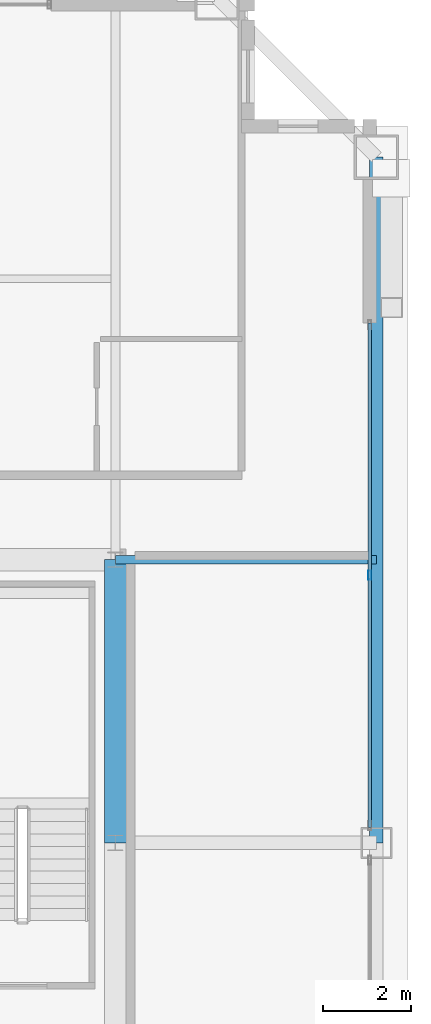
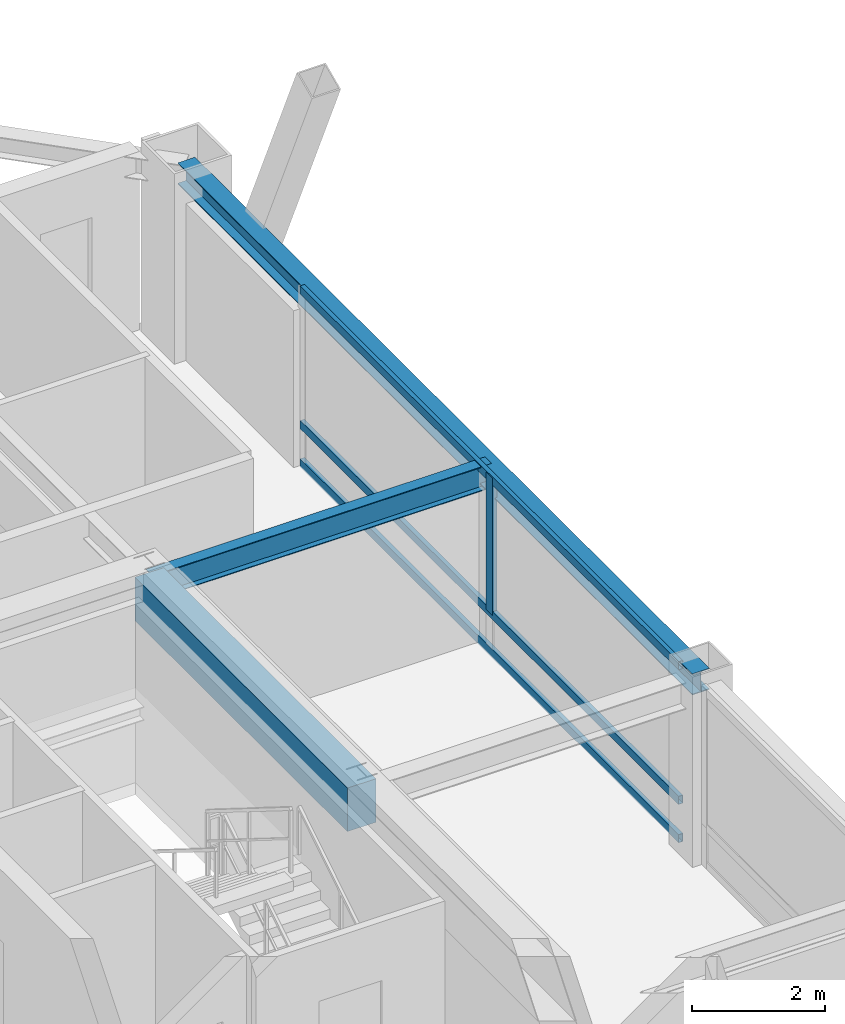
# One storey, part 14 of 34: 4 members, 3 beams, 1 element without a shape of its own.
"""IFC4 building model written with IfcOpenShell, lengths in metres."""

from ifc_helpers import new_model, si_unit, direction, frame, origin, origin_2d, place, context, subcontext, project, spatial, rectangle, hollow_rectangle, i_section, extrude, source, transform, mapped, material, layer, layer_set, material_profile, profile_set, type_object, element, aggregate, save


model = new_model("IFC4")

# Units and contexts
model_context = context("Model", 3, precision=1e-05, world=origin(), true_north=direction((0.0, 1.0)))
body_context = subcontext(model_context, "Body", "Model", "MODEL_VIEW")
ifc_project = project(units=[si_unit("LENGTHUNIT", "METRE"), si_unit("AREAUNIT", "SQUARE_METRE"), si_unit("VOLUMEUNIT", "CUBIC_METRE"), si_unit("PLANEANGLEUNIT", "RADIAN"), si_unit("MASSUNIT", "GRAM", prefix="KILO"), si_unit("THERMODYNAMICTEMPERATUREUNIT", "KELVIN"), si_unit("POWERUNIT", "WATT")], contexts=[model_context])

# Site, building, storey
site_placement = place(None, origin())
site = spatial("IfcSite", under=ifc_project, at=site_placement, CompositionType="ELEMENT")
building_placement = place(site_placement, origin())
building = spatial("IfcBuilding", under=site, at=building_placement, Name="Yuzanri Waterfront Tower", CompositionType="ELEMENT")
storey_placement = place(building_placement, frame((0.0, 0.0, 328.699951171875)))
storey = spatial("IfcBuildingStorey", under=building, at=storey_placement, Name="L88", CompositionType="ELEMENT", Elevation=328.699951171875)

# Beams
ifc_material_1 = material(Name="Concrete C50", Category="concrete")
ifc_material_profile_1 = material_profile(ifc_material_1, rectangle(XDim=0.5, YDim=0.800048828125, at=origin_2d()), Name="RC 500x800")
ifc_profile_set_1 = profile_set([ifc_material_profile_1], Name="Concrete C50")
beam_type_1 = type_object("IfcBeamType", Name="Core Coupling Lintel Concrete C50 500x800", PredefinedType="LINTEL", material=ifc_profile_set_1)
shared_shape_1 = source(origin(), body_context, "Body", "SweptSolid", [
    extrude(rectangle(XDim=0.5, YDim=0.800048828125, at=origin_2d()), origin(), (0.0, 0.0, 1.0), 6.39990234375),
])
beam_1_placement = place(storey_placement, frame((50.199951171875, 25.800048828125, 2.880126953125), z_axis=(0.0, 1.0, 0.0), x_axis=(-1.0, 0.0, 0.0)))
element("IfcBeam", 1, at=beam_1_placement, inside=storey, type_object=beam_type_1, Name="L88 Core Tie Beam CE2", PredefinedType="LINTEL", context=body_context, shape_type="MappedRepresentation", body=[
    mapped(shared_shape_1, transform((0.0, 0.0, 0.0), scale=1.0)),
])
ifc_material_2 = material(Name="Steel Q355B", Category="steel")
ifc_material_profile_2 = material_profile(ifc_material_2, i_section(OverallWidth=0.300048828125, OverallDepth=0.389892578125, WebThickness=0.010009765625, FlangeThickness=0.01611328125, at=origin_2d()), Name="HM 390x300x10x16")
ifc_profile_set_2 = profile_set([ifc_material_profile_2], Name="Steel Q355B")
beam_type_2 = type_object("IfcBeamType", Name="Perimeter Spandrel Q355B HM 390x300", PredefinedType="SPANDREL", material=ifc_profile_set_2)
shared_shape_2 = source(origin(), body_context, "Body", "SweptSolid", [
    extrude(i_section(OverallWidth=0.300048828125, OverallDepth=0.389892578125, WebThickness=0.010009765625, FlangeThickness=0.01611328125, at=origin_2d()), origin(), (0.0, 0.0, 1.0), 15.5),
])
beam_2_placement = place(storey_placement, frame((56.10009765625, 25.800048828125, 3.0849609375), z_axis=(0.0, 1.0, 0.0), x_axis=(-1.0, 0.0, 0.0)))
element("IfcBeam", 2, at=beam_2_placement, inside=storey, type_object=beam_type_2, Name="L88 Perimeter Spandrel E2-E3", PredefinedType="SPANDREL", context=body_context, shape_type="MappedRepresentation", body=[
    mapped(shared_shape_2, transform((0.0, 0.0, 0.0), scale=1.0)),
])
ifc_material_3 = material(Name="Steel Q355B", Category="steel")
ifc_material_profile_3 = material_profile(ifc_material_3, i_section(OverallWidth=0.199951171875, OverallDepth=0.449951171875, WebThickness=0.009033203125, FlangeThickness=0.013916015625, at=origin_2d()), Name="HN 450x200x9x14")
ifc_profile_set_3 = profile_set([ifc_material_profile_3], Name="Steel Q355B")
beam_type_3 = type_object("IfcBeamType", Name="Secondary Floor Beam Q355B HN 450x200", PredefinedType="BEAM", material=ifc_profile_set_3)
shared_shape_3 = source(origin(), body_context, "Body", "SweptSolid", [
    extrude(i_section(OverallWidth=0.199951171875, OverallDepth=0.449951171875, WebThickness=0.009033203125, FlangeThickness=0.013916015625, at=origin_2d()), origin(), (0.0, 0.0, 1.0), 5.900146484375),
])
beam_3_placement = place(storey_placement, frame((50.199951171875, 32.199951171875, 3.054931640625), z_axis=(1.0, 0.0, 0.0), x_axis=(0.0, 1.0, 0.0)))
element("IfcBeam", 3, at=beam_3_placement, inside=storey, type_object=beam_type_3, Name="L88 East-North Core Line Beam", PredefinedType="BEAM", context=body_context, shape_type="MappedRepresentation", body=[
    mapped(shared_shape_3, transform((0.0, 0.0, 0.0), scale=1.0)),
])

# Curtain wall, members
ifc_material_4 = material(Name="Anodized Architectural Bronze", Category="metal")
ifc_layer = layer(ifc_material_4, 0.159912109375)
ifc_layer_set = layer_set([ifc_layer], Name="Anodized Architectural Bronze")
curtain_wall_type = type_object("IfcCurtainWallType", Name="Anodized Bronze High-Rise Penthouse High-Wind Unitized Curtain Wall 6900", PredefinedType="NOTDEFINED", material=ifc_layer_set)
curtain_wall_placement = place(storey_placement, origin())
curtain_wall = element("IfcCurtainWall", 4, at=curtain_wall_placement, inside=storey, type_object=curtain_wall_type, Name="L88 Curtain Wall CW-L88-ER", PredefinedType="NOTDEFINED")
ifc_material_5 = material(Name="Anodized Architectural Bronze", Category="metal")
ifc_material_profile_4 = material_profile(ifc_material_5, hollow_rectangle(XDim=0.074951171875, YDim=0.199951171875, WallThickness=0.00390625, at=origin_2d()), Name="CWM 75x200")
ifc_profile_set_4 = profile_set([ifc_material_profile_4], Name="Anodized Architectural Bronze")
member_type_1 = type_object("IfcMemberType", Name="Anodized Bronze Primary Curtain-Wall Mullion 75x200", PredefinedType="MULLION", material=ifc_profile_set_4)
shared_shape_4 = source(origin(), body_context, "Body", "SweptSolid", [
    extrude(hollow_rectangle(XDim=0.074951171875, YDim=0.199951171875, WallThickness=0.00390625, at=origin_2d()), origin(), (0.0, 0.0, 1.0), 2.52392578125),
])
member_1_placement = place(storey_placement, frame((55.949951171875, 31.85009765625, 0.756103515625), z_axis=(0.0, 0.0, 1.0), x_axis=(1.0, 0.0, 0.0)))
member_1 = element("IfcMember", 5, at=member_1_placement, type_object=member_type_1, Name="CW-L88-ER Upper Mullion 01", PredefinedType="MULLION", context=body_context, shape_type="MappedRepresentation", body=[
    mapped(shared_shape_4, transform((0.0, 0.0, 0.0), scale=1.0)),
])
ifc_material_6 = material(Name="Anodized Architectural Bronze", Category="metal")
ifc_material_profile_5 = material_profile(ifc_material_6, hollow_rectangle(XDim=0.074951171875, YDim=0.14990234375, WallThickness=0.00390625, at=origin_2d()), Name="CWT 75x150")
ifc_profile_set_5 = profile_set([ifc_material_profile_5], Name="Anodized Architectural Bronze")
member_type_2 = type_object("IfcMemberType", Name="Anodized Bronze Primary Curtain-Wall Transom 75x150", PredefinedType="USERDEFINED", material=ifc_profile_set_5)
shared_shape_5 = source(origin(), body_context, "Body", "SweptSolid", [
    extrude(hollow_rectangle(XDim=0.074951171875, YDim=0.14990234375, WallThickness=0.00390625, at=origin_2d()), origin(), (0.0, 0.0, 1.0), 11.400146484375),
])
member_2_placement = place(storey_placement, frame((55.949951171875, 26.14990234375, 0.050048828125), z_axis=(0.0, 1.0, 0.0), x_axis=(-1.0, 0.0, 0.0)))
member_2 = element("IfcMember", 6, at=member_2_placement, type_object=member_type_2, Name="CW-L88-ER Transom 1", ObjectType="TRANSOM", PredefinedType="USERDEFINED", context=body_context, shape_type="MappedRepresentation", body=[
    mapped(shared_shape_5, transform((0.0, 0.0, 0.0), scale=1.0)),
])
member_3_placement = place(storey_placement, frame((55.949951171875, 26.14990234375, 0.754150390625), z_axis=(0.0, 1.0, 0.0), x_axis=(-1.0, 0.0, 0.0)))
member_3 = element("IfcMember", 7, at=member_3_placement, type_object=member_type_2, Name="CW-L88-ER Transom 2", ObjectType="TRANSOM", PredefinedType="USERDEFINED", context=body_context, shape_type="MappedRepresentation", body=[
    mapped(shared_shape_5, transform((0.0, 0.0, 0.0), scale=1.0)),
])
member_4_placement = place(storey_placement, frame((55.949951171875, 26.14990234375, 3.22998046875), z_axis=(0.0, 1.0, 0.0), x_axis=(-1.0, 0.0, 0.0)))
member_4 = element("IfcMember", 8, at=member_4_placement, type_object=member_type_2, Name="CW-L88-ER Transom 3", ObjectType="TRANSOM", PredefinedType="USERDEFINED", context=body_context, shape_type="MappedRepresentation", body=[
    mapped(shared_shape_5, transform((0.0, 0.0, 0.0), scale=1.0)),
])
aggregate(curtain_wall, [member_1, member_2, member_3, member_4])

save(model, "model.ifc")
